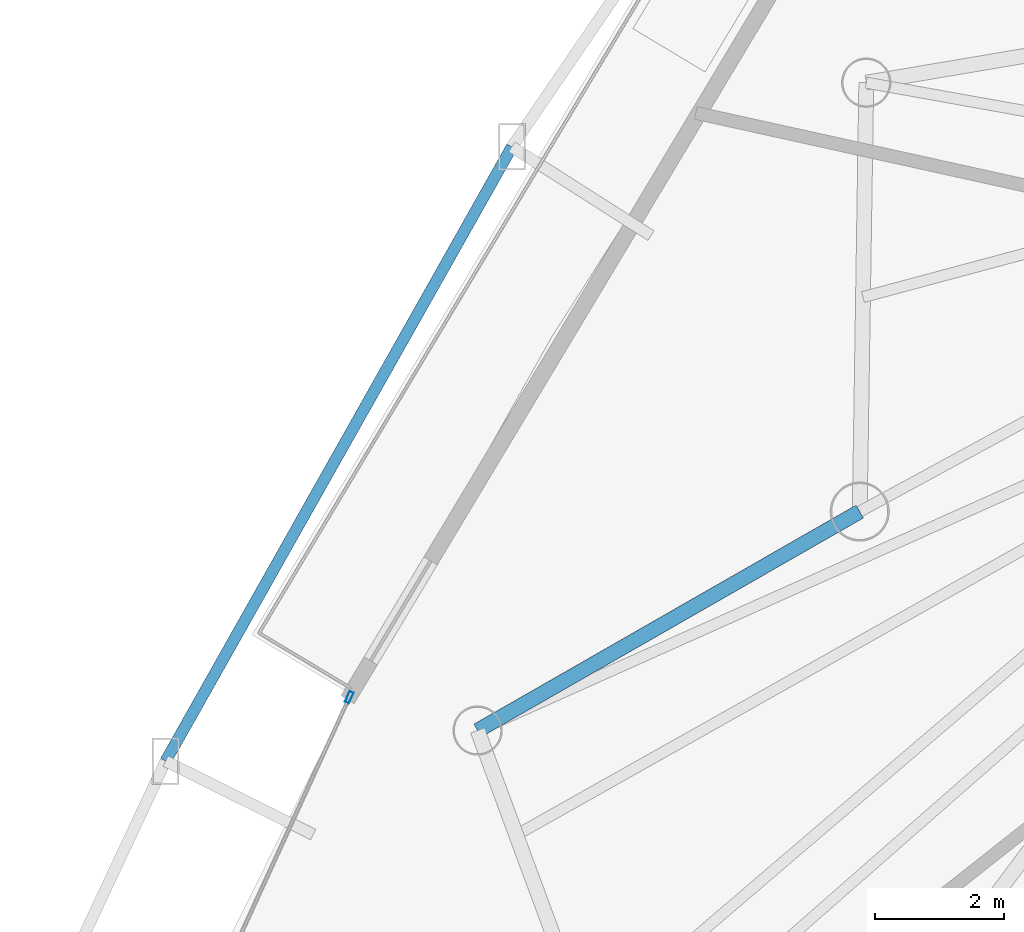
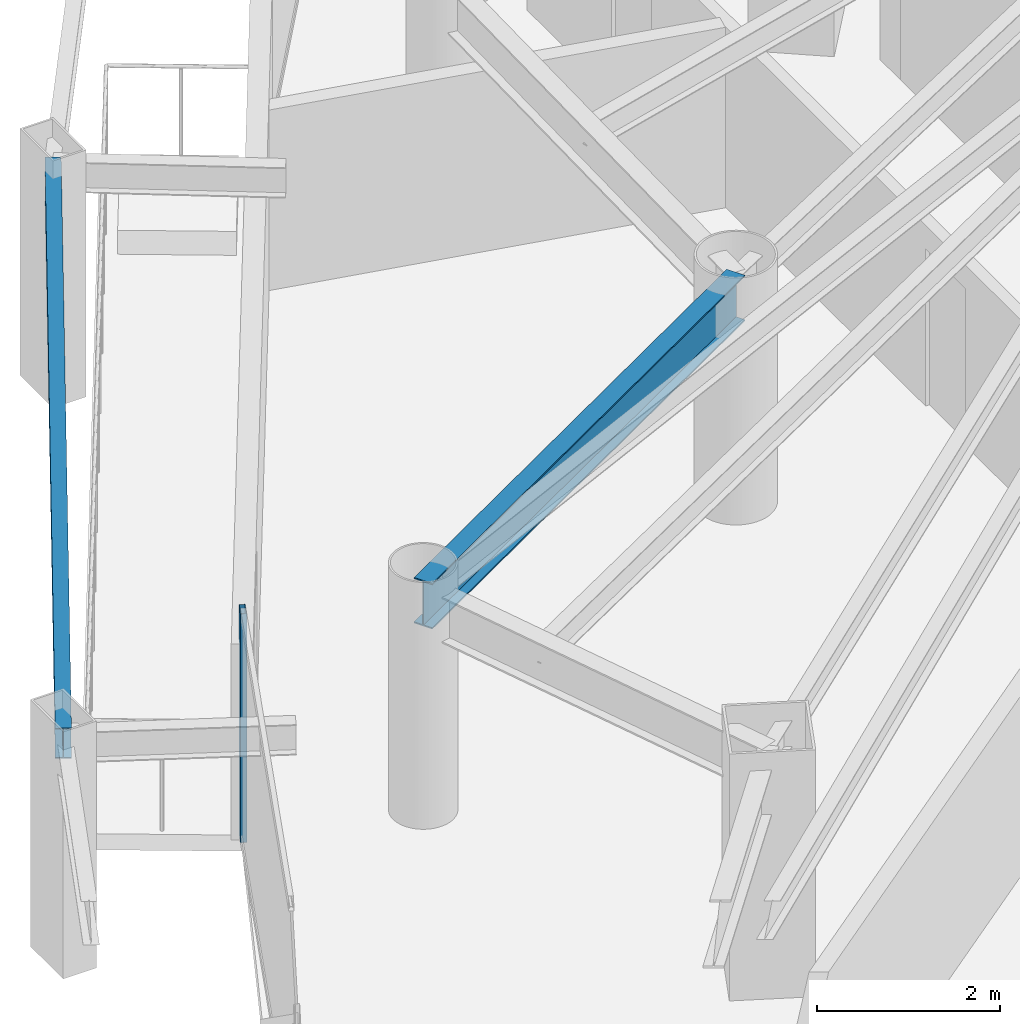
# One storey, part 11 of 37: 2 beams, 1 member, 1 element without a shape of its own.
"""IFC4 building model written with IfcOpenShell, lengths in metres."""

from ifc_helpers import new_model, si_unit, direction, frame, origin, origin_2d, place, context, subcontext, project, spatial, hollow_rectangle, i_section, extrude, material, layer, layer_set, material_profile, profile_set, type_object, element, aggregate, save


model = new_model("IFC4")

# Units and contexts
model_context = context("Model", 3, precision=1e-05, world=origin(), true_north=direction((0.0, 1.0)))
body_context = subcontext(model_context, "Body", "Model", "MODEL_VIEW")
ifc_project = project(units=[si_unit("LENGTHUNIT", "METRE"), si_unit("AREAUNIT", "SQUARE_METRE"), si_unit("VOLUMEUNIT", "CUBIC_METRE"), si_unit("PLANEANGLEUNIT", "RADIAN"), si_unit("MASSUNIT", "GRAM", prefix="KILO")], contexts=[model_context])

# Site, building, storey
site_placement = place(None, origin())
site = spatial("IfcSite", under=ifc_project, at=site_placement, CompositionType="ELEMENT")
building_placement = place(site_placement, origin())
building = spatial("IfcBuilding", under=site, at=building_placement, Name="Orvanel Arch Residences", CompositionType="ELEMENT")
storey_placement = place(building_placement, frame((0.0, 0.0, 53.300048828125)))
storey = spatial("IfcBuildingStorey", under=building, at=storey_placement, Name="L14", CompositionType="ELEMENT", Elevation=53.300048828125)

# Curtain wall, member
ifc_material_1 = material(Name="Bronze-anodised aluminium AA6063-T6", Category="aluminium")
ifc_layer = layer(ifc_material_1, 0.179931640625)
ifc_layer_set = layer_set([ifc_layer], Name="Bronze-anodised aluminium AA6063-T6")
curtain_wall_type = type_object("IfcCurtainWallType", Name="CW2-LOW-SYS", PredefinedType="NOTDEFINED", material=ifc_layer_set)
curtain_wall_placement = place(storey_placement, origin())
curtain_wall = element("IfcCurtainWall", 1, at=curtain_wall_placement, inside=storey, type_object=curtain_wall_type, Name="L14 CW2-LOW-SYS Unitised Curtain Wall", PredefinedType="NOTDEFINED")
ifc_material_profile_1 = material_profile(ifc_material_1, hollow_rectangle(XDim=0.070068359375, YDim=0.179931640625, WallThickness=0.00439453125, at=origin_2d()), Name="ALU180x70x4.5")
ifc_profile_set_1 = profile_set([ifc_material_profile_1], Name="Bronze-anodised aluminium AA6063-T6")
member_type = type_object("IfcMemberType", Name="MUL-180x70", PredefinedType="MULLION", material=ifc_profile_set_1)
member_placement = place(storey_placement, frame((12.678466796875, 24.770263671875, 0.0), z_axis=(0.0, 0.0, 1.0), x_axis=(0.909298821002, -0.416143790203, 0.0)))
member = element("IfcMember", 2, at=member_placement, type_object=member_type, Name="CW-S2 mullion 1", PredefinedType="MULLION", context=body_context, shape_type="SweptSolid", body=[
    extrude(hollow_rectangle(XDim=0.070068359375, YDim=0.179931640625, WallThickness=0.00439453125, at=origin_2d()), origin(), (0.0, 0.0, 1.0), 3.06005859375),
])
aggregate(curtain_wall, [member])

# Beams
ifc_material_2 = material(Name="Structural steel AS/NZS 3679.1 Grade 300 (300 MPa)", Category="steel")
ifc_material_profile_2 = material_profile(ifc_material_2, i_section(OverallWidth=0.177978515625, OverallDepth=0.406005859375, WebThickness=0.0078125, FlangeThickness=0.0126953125, at=origin_2d()), Name="410UB59.7")
ifc_profile_set_2 = profile_set([ifc_material_profile_2], Name="Structural steel AS/NZS 3679.1 Grade 300 (300 MPa)")
beam_type_1 = type_object("IfcBeamType", Name="OB-410UB-EXT", PredefinedType="SPANDREL", material=ifc_profile_set_2)
beam_1_placement = place(storey_placement, frame((15.19189453125, 33.279052734375, 2.85693359375), z_axis=(-0.491043657407, -0.871134964584, 0.0), x_axis=(0.871134964584, -0.491043657407, 0.0)))
element("IfcBeam", 3, at=beam_1_placement, inside=storey, type_object=beam_type_1, Name="L14 Outer Perimeter Floor Ring Beam 02", PredefinedType="SPANDREL", context=body_context, shape_type="SweptSolid", body=[
    extrude(i_section(OverallWidth=0.177978515625, OverallDepth=0.406005859375, WebThickness=0.0078125, FlangeThickness=0.0126953125, at=origin_2d()), origin(), (0.0, 0.0, 1.0), 10.90087890625),
])
ifc_material_profile_3 = material_profile(ifc_material_2, i_section(OverallWidth=0.22900390625, OverallDepth=0.612060546875, WebThickness=0.011962890625, FlangeThickness=0.01953125, at=origin_2d()), Name="610UB125")
ifc_profile_set_3 = profile_set([ifc_material_profile_3], Name="Structural steel AS/NZS 3679.1 Grade 300 (300 MPa)")
beam_type_2 = type_object("IfcBeamType", Name="SP-610UB", PredefinedType="SPANDREL", material=ifc_profile_set_3)
beam_2_placement = place(storey_placement, frame((20.569091796875, 27.64111328125, 2.75390625), z_axis=(-0.867635629025, -0.497200578485, 0.0), x_axis=(0.497200578485, -0.867635629025, 0.0)))
element("IfcBeam", 4, at=beam_2_placement, inside=storey, type_object=beam_type_2, Name="L14 Perimeter Spandrel Beam 21", PredefinedType="SPANDREL", context=body_context, shape_type="SweptSolid", body=[
    extrude(i_section(OverallWidth=0.22900390625, OverallDepth=0.612060546875, WebThickness=0.011962890625, FlangeThickness=0.01953125, at=origin_2d()), origin(), (0.0, 0.0, 1.0), 6.80810546875),
])

save(model, "model.ifc")
